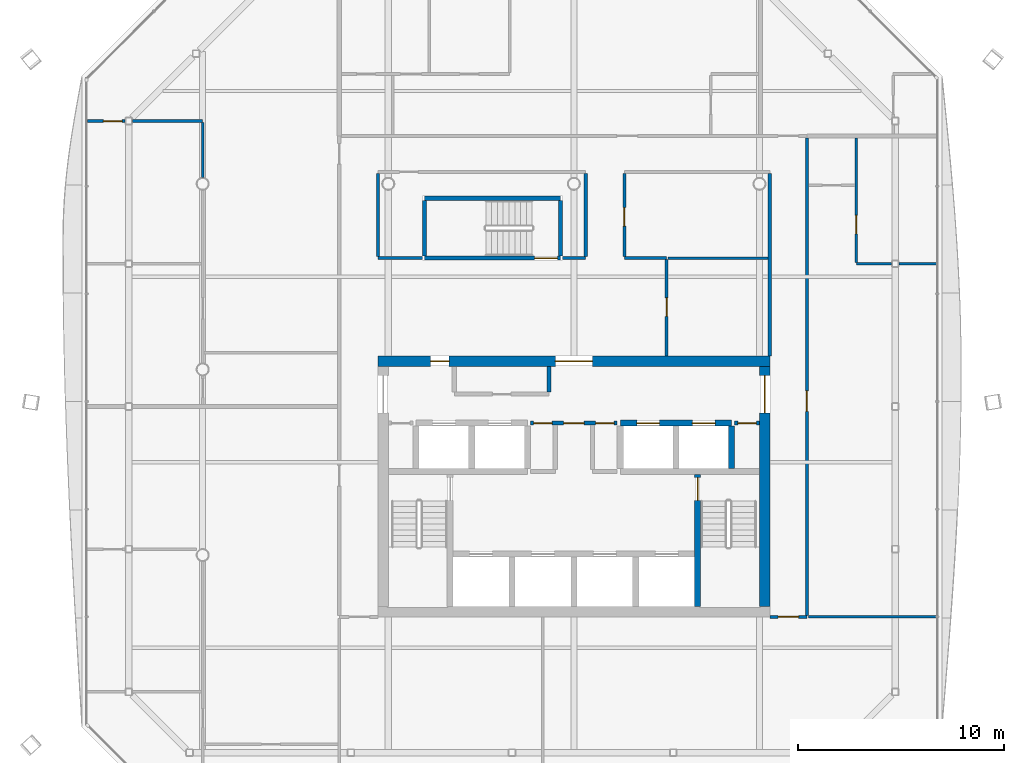
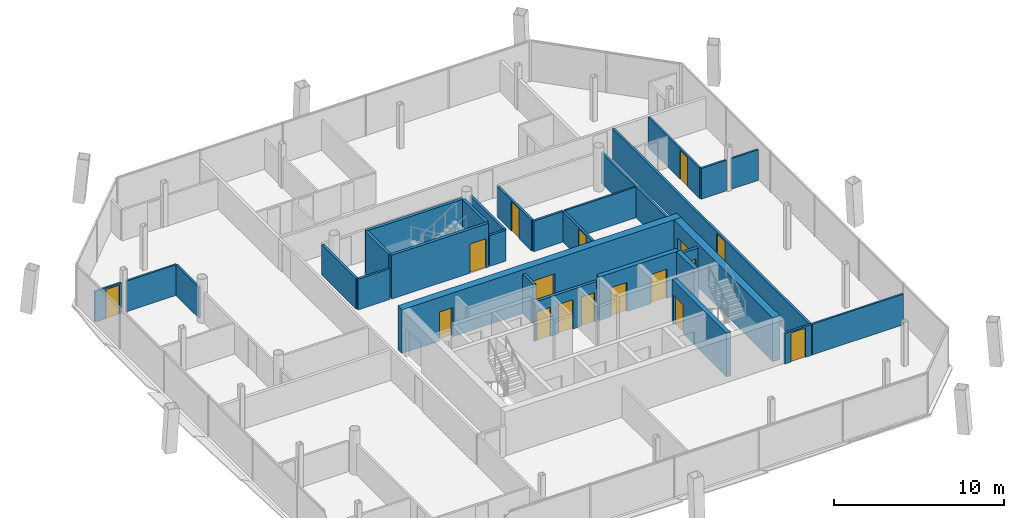
# One storey, part 15 of 20: 30 walls, 17 doors, 17 openings.
"""IFC4 building model written with IfcOpenShell, lengths in metres."""

from ifc_helpers import new_model, si_unit, direction, frame, frame_2d, origin, place, context, subcontext, project, spatial, rectangle, extrude, material, layer, layer_set, type_object, element, fill, save


model = new_model("IFC4")

# Units and contexts
model_context = context("Model", 3, precision=1e-05, world=origin(), true_north=direction((0.0, 1.0)))
body_context = subcontext(model_context, "Body", "Model", "MODEL_VIEW")
ifc_project = project(units=[si_unit("LENGTHUNIT", "METRE"), si_unit("AREAUNIT", "SQUARE_METRE"), si_unit("VOLUMEUNIT", "CUBIC_METRE"), si_unit("PLANEANGLEUNIT", "RADIAN"), si_unit("MASSUNIT", "GRAM", prefix="KILO")], contexts=[model_context])

# Site, building, storey
site_placement = place(None, origin())
site = spatial("IfcSite", under=ifc_project, at=site_placement, CompositionType="ELEMENT")
building_placement = place(site_placement, origin())
building = spatial("IfcBuilding", under=site, at=building_placement, Name="Tskaro Facet Tower", CompositionType="ELEMENT")
storey_placement = place(building_placement, frame((0.0, 0.0, 187.949951171875)))
storey = spatial("IfcBuildingStorey", under=building, at=storey_placement, Name="L47", CompositionType="ELEMENT", Elevation=187.949951171875)

# Wall, openings, doors
ifc_material_1 = material(Name="Concrete C60/75", Category="concrete")
ifc_layer_1 = layer(ifc_material_1, 0.300048828125, Name="Concrete C60/75")
ifc_layer_set_1 = layer_set([ifc_layer_1], Name="Concrete C60/75")
wall_type_1 = type_object("IfcWallType", Name="CORE-SHAFT", PredefinedType="SHEAR", material=ifc_layer_set_1)
wall_1_placement = place(storey_placement, frame((2.25, -2.60009765625, 0.0), z_axis=(0.0, 0.0, 1.0), x_axis=(1.0, 0.0, 0.0)))
wall_1 = element("IfcWall", 1, at=wall_1_placement, inside=storey, type_object=wall_type_1, Name="Shaft wall W017", PredefinedType="SHEAR", context=body_context, shape_type="SweptSolid", body=[
    extrude(rectangle(XDim=5.39990234375, YDim=0.300048828125, at=frame_2d((2.699951171875, 0.0))), origin(), (0.0, 0.0, 1.0), 3.150146484375),
])
opening_1_placement = place(wall_1_placement, frame((0.800048828125, 0.0, 0.0)))
opening_1 = element("IfcOpeningElement", 2, at=opening_1_placement, cuts=wall_1, Name="Opening LD-HB3", PredefinedType="OPENING", context=body_context, shape_type="SweptSolid", body=[
    extrude(rectangle(XDim=1.10009765625, YDim=2.10009765625, at=frame_2d((0.550048828125, 1.050048828125))), frame((0.0, 0.159912109375, 0.0), z_axis=(0.0, -1.0, 0.0), x_axis=(1.0, 0.0, 0.0)), (0.0, 0.0, 1.0), 0.320068359375),
])
opening_2_placement = place(wall_1_placement, frame((3.5, 0.0, 0.0)))
opening_2 = element("IfcOpeningElement", 3, at=opening_2_placement, cuts=wall_1, Name="Opening LD-HB4", PredefinedType="OPENING", context=body_context, shape_type="SweptSolid", body=[
    extrude(rectangle(XDim=1.10009765625, YDim=2.10009765625, at=frame_2d((0.550048828125, 1.050048828125))), frame((0.0, 0.159912109375, 0.0), z_axis=(0.0, -1.0, 0.0), x_axis=(1.0, 0.0, 0.0)), (0.0, 0.0, 1.0), 0.320068359375),
])
ifc_material_2 = material(Name="Stainless steel", Category="steel")
door_type_1 = type_object("IfcDoorType", Name="D-LANDING", OperationType="NOTDEFINED", PredefinedType="DOOR", material=ifc_material_2)
door_1_placement = place(opening_1_placement, origin())
door_1 = element("IfcDoor", 4, at=door_1_placement, inside=storey, type_object=door_type_1, Name="Landing door HB3", OperationType="DOUBLE_DOOR_SLIDING", OverallHeight=2.10009765625, OverallWidth=1.10009765625, PredefinedType="DOOR", context=body_context, shape_type="SweptSolid", body=[
    extrude(rectangle(XDim=1.10009765625, YDim=2.10009765625, at=frame_2d((0.550048828125, 1.050048828125))), frame((0.0, 0.02490234375, 0.0), z_axis=(0.0, -1.0, 0.0), x_axis=(1.0, 0.0, 0.0)), (0.0, 0.0, 1.0), 0.050048828125),
])
fill(opening_1, door_1)
door_2_placement = place(opening_2_placement, origin())
door_2 = element("IfcDoor", 5, at=door_2_placement, inside=storey, type_object=door_type_1, Name="Landing door HB4", OperationType="DOUBLE_DOOR_SLIDING", OverallHeight=2.10009765625, OverallWidth=1.10009765625, PredefinedType="DOOR", context=body_context, shape_type="SweptSolid", body=[
    extrude(rectangle(XDim=1.10009765625, YDim=2.10009765625, at=frame_2d((0.550048828125, 1.050048828125))), frame((0.0, 0.02490234375, 0.0), z_axis=(0.0, -1.0, 0.0), x_axis=(1.0, 0.0, 0.0)), (0.0, 0.0, 1.0), 0.050048828125),
])
fill(opening_2, door_2)

# Wall, opening, door
wall_2_placement = place(storey_placement, frame((6.0, -5.10009765625, 0.0), z_axis=(0.0, 0.0, 1.0), x_axis=(0.0, -1.0, 0.0)))
wall_2 = element("IfcWall", 6, at=wall_2_placement, inside=storey, type_object=wall_type_1, Name="Shaft wall W077", PredefinedType="SHEAR", context=body_context, shape_type="SweptSolid", body=[
    extrude(rectangle(XDim=6.39990234375, YDim=0.300048828125, at=frame_2d((3.199951171875, 0.0))), origin(), (0.0, 0.0, 1.0), 3.150146484375),
])
opening_3_placement = place(wall_2_placement, frame((0.14990234375, 0.0, 0.0)))
opening_3 = element("IfcOpeningElement", 7, at=opening_3_placement, cuts=wall_2, Name="Opening ST-2-D1", PredefinedType="OPENING", context=body_context, shape_type="SweptSolid", body=[
    extrude(rectangle(XDim=1.10009765625, YDim=2.10009765625, at=frame_2d((0.550048828125, 1.050048828125))), frame((0.0, 0.159912109375, 0.0), z_axis=(0.0, -1.0, 0.0), x_axis=(1.0, 0.0, 0.0)), (0.0, 0.0, 1.0), 0.320068359375),
])
ifc_material_3 = material(Name="Steel", Category="steel")
door_type_2 = type_object("IfcDoorType", Name="D-STAIR", OperationType="NOTDEFINED", PredefinedType="DOOR", material=ifc_material_3)
door_3_placement = place(opening_3_placement, origin())
door_3 = element("IfcDoor", 8, at=door_3_placement, inside=storey, type_object=door_type_2, Name="Stair door 2", OperationType="SINGLE_SWING_RIGHT", OverallHeight=2.10009765625, OverallWidth=1.10009765625, PredefinedType="DOOR", context=body_context, shape_type="SweptSolid", body=[
    extrude(rectangle(XDim=1.10009765625, YDim=2.10009765625, at=frame_2d((0.550048828125, 1.050048828125))), frame((0.0, 0.02490234375, 0.0), z_axis=(0.0, -1.0, 0.0), x_axis=(1.0, 0.0, 0.0)), (0.0, 0.0, 1.0), 0.050048828125),
])
fill(opening_3, door_3)

# Wall
wall_3_placement = place(storey_placement, frame((7.64990234375, -4.800048828125, 0.0), z_axis=(0.0, 0.0, 1.0), x_axis=(0.0, 1.0, 0.0)))
element("IfcWall", 9, at=wall_3_placement, inside=storey, type_object=wall_type_1, Name="Shaft wall W079", PredefinedType="SHEAR", context=body_context, shape_type="SweptSolid", body=[
    extrude(rectangle(XDim=2.050048828125, YDim=0.300048828125, at=frame_2d((1.02490234375, 0.0))), origin(), (0.0, 0.0, 1.0), 3.150146484375),
])

# Wall, openings, doors
ifc_material_4 = material(Name="Concrete C20/25", Category="concrete")
ifc_layer_2 = layer(ifc_material_4, 0.199951171875, Name="Concrete C20/25")
ifc_layer_set_2 = layer_set([ifc_layer_2], Name="Concrete C20/25")
wall_type_2 = type_object("IfcWallType", Name="CORE-WALL", PredefinedType="SOLIDWALL", material=ifc_layer_set_2)
wall_4_placement = place(storey_placement, frame((2.10009765625, -2.60009765625, 0.0), z_axis=(0.0, 0.0, 1.0), x_axis=(-1.0, 0.0, 0.0)))
wall_4 = element("IfcWall", 10, at=wall_4_placement, inside=storey, type_object=wall_type_2, Name="Core room wall W016", PredefinedType="SOLIDWALL", context=body_context, shape_type="SweptSolid", body=[
    extrude(rectangle(XDim=4.2001953125, YDim=0.199951171875, at=frame_2d((2.10009765625, 0.0))), origin(), (0.0, 0.0, 1.0), 2.85009765625),
])
opening_4_placement = place(wall_4_placement, frame((1.60009765625, 0.0, 0.0)))
opening_4 = element("IfcOpeningElement", 11, at=opening_4_placement, cuts=wall_4, Name="Opening FL-D1", PredefinedType="OPENING", context=body_context, shape_type="SweptSolid", body=[
    extrude(rectangle(XDim=1.0, YDim=2.10009765625, at=frame_2d((0.5, 1.050048828125))), frame((0.0, 0.10986328125, 0.0), z_axis=(0.0, -1.0, 0.0), x_axis=(1.0, 0.0, 0.0)), (0.0, 0.0, 1.0), 0.219970703125),
])
opening_5_placement = place(wall_4_placement, frame((3.14990234375, 0.0, 0.0)))
opening_5 = element("IfcOpeningElement", 12, at=opening_5_placement, cuts=wall_4, Name="Opening T13-D08", PredefinedType="OPENING", context=body_context, shape_type="SweptSolid", body=[
    extrude(rectangle(XDim=0.89990234375, YDim=2.10009765625, at=frame_2d((0.449951171875, 1.050048828125))), frame((0.0, 0.10986328125, 0.0), z_axis=(0.0, -1.0, 0.0), x_axis=(1.0, 0.0, 0.0)), (0.0, 0.0, 1.0), 0.219970703125),
])
opening_6_placement = place(wall_4_placement, frame((0.14990234375, 0.0, 0.0)))
opening_6 = element("IfcOpeningElement", 13, at=opening_6_placement, cuts=wall_4, Name="Opening T13-D09", PredefinedType="OPENING", context=body_context, shape_type="SweptSolid", body=[
    extrude(rectangle(XDim=0.89990234375, YDim=2.10009765625, at=frame_2d((0.449951171875, 1.050048828125))), frame((0.0, 0.10986328125, 0.0), z_axis=(0.0, -1.0, 0.0), x_axis=(1.0, 0.0, 0.0)), (0.0, 0.0, 1.0), 0.219970703125),
])
door_type_3 = type_object("IfcDoorType", Name="D-LOBBY", OperationType="NOTDEFINED", PredefinedType="DOOR", material=ifc_material_3)
door_4_placement = place(opening_4_placement, origin())
door_4 = element("IfcDoor", 14, at=door_4_placement, inside=storey, type_object=door_type_3, Name="Lobby door FL", OperationType="SINGLE_SWING_RIGHT", OverallHeight=2.10009765625, OverallWidth=1.0, PredefinedType="DOOR", context=body_context, shape_type="SweptSolid", body=[
    extrude(rectangle(XDim=1.0, YDim=2.10009765625, at=frame_2d((0.5, 1.050048828125))), frame((0.0, 0.02490234375, 0.0), z_axis=(0.0, -1.0, 0.0), x_axis=(1.0, 0.0, 0.0)), (0.0, 0.0, 1.0), 0.050048828125),
])
fill(opening_4, door_4)
ifc_material_5 = material(Name="Timber", Category="wood")
door_type_4 = type_object("IfcDoorType", Name="D-ROOM", OperationType="NOTDEFINED", PredefinedType="DOOR", material=ifc_material_5)
door_5_placement = place(opening_5_placement, origin())
door_5 = element("IfcDoor", 15, at=door_5_placement, inside=storey, type_object=door_type_4, Name="Door T13-D08", OperationType="SINGLE_SWING_RIGHT", OverallHeight=2.10009765625, OverallWidth=0.89990234375, PredefinedType="DOOR", context=body_context, shape_type="SweptSolid", body=[
    extrude(rectangle(XDim=0.89990234375, YDim=2.10009765625, at=frame_2d((0.449951171875, 1.050048828125))), frame((0.0, 0.02490234375, 0.0), z_axis=(0.0, -1.0, 0.0), x_axis=(1.0, 0.0, 0.0)), (0.0, 0.0, 1.0), 0.050048828125),
])
fill(opening_5, door_5)
door_6_placement = place(opening_6_placement, origin())
door_6 = element("IfcDoor", 16, at=door_6_placement, inside=storey, type_object=door_type_4, Name="Door T13-D09", OperationType="SINGLE_SWING_RIGHT", OverallHeight=2.10009765625, OverallWidth=0.89990234375, PredefinedType="DOOR", context=body_context, shape_type="SweptSolid", body=[
    extrude(rectangle(XDim=0.89990234375, YDim=2.10009765625, at=frame_2d((0.449951171875, 1.050048828125))), frame((0.0, 0.02490234375, 0.0), z_axis=(0.0, -1.0, 0.0), x_axis=(1.0, 0.0, 0.0)), (0.0, 0.0, 1.0), 0.050048828125),
])
fill(opening_6, door_6)

# Wall, opening, door
wall_5_placement = place(storey_placement, frame((9.0, -2.60009765625, 0.0), z_axis=(0.0, 0.0, 1.0), x_axis=(-1.0, 0.0, 0.0)))
wall_5 = element("IfcWall", 17, at=wall_5_placement, inside=storey, type_object=wall_type_2, Name="Core room wall W018", PredefinedType="SOLIDWALL", context=body_context, shape_type="SweptSolid", body=[
    extrude(rectangle(XDim=1.199951171875, YDim=0.199951171875, at=frame_2d((0.60009765625, 0.0))), origin(), (0.0, 0.0, 1.0), 2.85009765625),
])
opening_7_placement = place(wall_5_placement, frame((0.14990234375, 0.0, 0.0)))
opening_7 = element("IfcOpeningElement", 18, at=opening_7_placement, cuts=wall_5, Name="Opening T13-D10", PredefinedType="OPENING", context=body_context, shape_type="SweptSolid", body=[
    extrude(rectangle(XDim=0.89990234375, YDim=2.10009765625, at=frame_2d((0.449951171875, 1.050048828125))), frame((0.0, 0.10986328125, 0.0), z_axis=(0.0, -1.0, 0.0), x_axis=(1.0, 0.0, 0.0)), (0.0, 0.0, 1.0), 0.219970703125),
])
door_7_placement = place(opening_7_placement, origin())
door_7 = element("IfcDoor", 19, at=door_7_placement, inside=storey, type_object=door_type_4, Name="Door T13-D10", OperationType="SINGLE_SWING_RIGHT", OverallHeight=2.10009765625, OverallWidth=0.89990234375, PredefinedType="DOOR", context=body_context, shape_type="SweptSolid", body=[
    extrude(rectangle(XDim=0.89990234375, YDim=2.10009765625, at=frame_2d((0.449951171875, 1.050048828125))), frame((0.0, 0.02490234375, 0.0), z_axis=(0.0, -1.0, 0.0), x_axis=(1.0, 0.0, 0.0)), (0.0, 0.0, 1.0), 0.050048828125),
])
fill(opening_7, door_7)

# Wall
wall_6_placement = place(storey_placement, frame((-1.199951171875, -1.10009765625, 0.0), z_axis=(0.0, 0.0, 1.0), x_axis=(0.0, 1.0, 0.0)))
element("IfcWall", 20, at=wall_6_placement, inside=storey, type_object=wall_type_2, Name="Core room wall W066", PredefinedType="SOLIDWALL", context=body_context, shape_type="SweptSolid", body=[
    extrude(rectangle(XDim=1.25, YDim=0.199951171875, at=frame_2d((0.625, 0.0))), origin(), (0.0, 0.0, 1.0), 2.85009765625),
])

# Wall, openings, doors
ifc_material_6 = material(Name="Concrete C40/50", Category="concrete")
ifc_layer_3 = layer(ifc_material_6, 0.5, Name="Concrete C40/50")
ifc_layer_set_3 = layer_set([ifc_layer_3], Name="Concrete C40/50")
wall_type_3 = type_object("IfcWallType", Name="Core wall 500", PredefinedType="SHEAR", material=ifc_layer_set_3)
wall_7_placement = place(storey_placement, frame((-9.5, 0.39990234375, 0.0), z_axis=(0.0, 0.0, 1.0), x_axis=(1.0, 0.0, 0.0)))
wall_7 = element("IfcWall", 21, at=wall_7_placement, inside=storey, type_object=wall_type_3, Name="Core wall CW-Z3N", PredefinedType="SHEAR", context=body_context, shape_type="SweptSolid", body=[
    extrude(rectangle(XDim=19.0, YDim=0.5, at=frame_2d((9.5, 0.0))), origin(), (0.0, 0.0, 1.0), 3.150146484375),
])
opening_8_placement = place(wall_7_placement, frame((8.60009765625, 0.0, 0.0)))
opening_8 = element("IfcOpeningElement", 22, at=opening_8_placement, cuts=wall_7, Name="Opening T13-D17", PredefinedType="OPENING", context=body_context, shape_type="SweptSolid", body=[
    extrude(rectangle(XDim=1.800048828125, YDim=2.10009765625, at=frame_2d((0.89990234375, 1.050048828125))), frame((0.0, 0.260009765625, 0.0), z_axis=(0.0, -1.0, 0.0), x_axis=(1.0, 0.0, 0.0)), (0.0, 0.0, 1.0), 0.52001953125),
])
opening_9_placement = place(wall_7_placement, frame((2.550048828125, 0.0, 0.0)))
opening_9 = element("IfcOpeningElement", 23, at=opening_9_placement, cuts=wall_7, Name="Opening T13-D16", PredefinedType="OPENING", context=body_context, shape_type="SweptSolid", body=[
    extrude(rectangle(XDim=0.89990234375, YDim=2.10009765625, at=frame_2d((0.449951171875, 1.050048828125))), frame((0.0, 0.260009765625, 0.0), z_axis=(0.0, -1.0, 0.0), x_axis=(1.0, 0.0, 0.0)), (0.0, 0.0, 1.0), 0.52001953125),
])
door_type_5 = type_object("IfcDoorType", Name="D-CORE-PAIR", OperationType="NOTDEFINED", PredefinedType="DOOR", material=ifc_material_3)
door_8_placement = place(opening_8_placement, origin())
door_8 = element("IfcDoor", 24, at=door_8_placement, inside=storey, type_object=door_type_5, Name="Door T13-D17", OperationType="DOUBLE_DOOR_SINGLE_SWING", OverallHeight=2.10009765625, OverallWidth=1.800048828125, PredefinedType="DOOR", context=body_context, shape_type="SweptSolid", body=[
    extrude(rectangle(XDim=1.800048828125, YDim=2.10009765625, at=frame_2d((0.89990234375, 1.050048828125))), frame((0.0, 0.02490234375, 0.0), z_axis=(0.0, -1.0, 0.0), x_axis=(1.0, 0.0, 0.0)), (0.0, 0.0, 1.0), 0.050048828125),
])
fill(opening_8, door_8)
door_9_placement = place(opening_9_placement, origin())
door_9 = element("IfcDoor", 25, at=door_9_placement, inside=storey, type_object=door_type_4, Name="Door T13-D16", OperationType="SINGLE_SWING_LEFT", OverallHeight=2.10009765625, OverallWidth=0.89990234375, PredefinedType="DOOR", context=body_context, shape_type="SweptSolid", body=[
    extrude(rectangle(XDim=0.89990234375, YDim=2.10009765625, at=frame_2d((0.449951171875, 1.050048828125))), frame((0.0, 0.02490234375, 0.0), z_axis=(0.0, -1.0, 0.0), x_axis=(1.0, 0.0, 0.0)), (0.0, 0.0, 1.0), 0.050048828125),
])
fill(opening_9, door_9)

# Wall, opening, door
wall_8_placement = place(storey_placement, frame((9.25, -11.5, 0.0), z_axis=(0.0, 0.0, 1.0), x_axis=(0.0, 1.0, 0.0)))
wall_8 = element("IfcWall", 26, at=wall_8_placement, inside=storey, type_object=wall_type_3, Name="Core wall CW-Z3E", PredefinedType="SHEAR", context=body_context, shape_type="SweptSolid", body=[
    extrude(rectangle(XDim=11.64990234375, YDim=0.5, at=frame_2d((5.824951171875, 0.0))), origin(), (0.0, 0.0, 1.0), 3.150146484375),
])
opening_10_placement = place(wall_8_placement, frame((9.39990234375, 0.0, 0.0)))
opening_10 = element("IfcOpeningElement", 27, at=opening_10_placement, cuts=wall_8, Name="Opening T13-D14", PredefinedType="OPENING", context=body_context, shape_type="SweptSolid", body=[
    extrude(rectangle(XDim=1.800048828125, YDim=2.10009765625, at=frame_2d((0.89990234375, 1.050048828125))), frame((0.0, 0.260009765625, 0.0), z_axis=(0.0, -1.0, 0.0), x_axis=(1.0, 0.0, 0.0)), (0.0, 0.0, 1.0), 0.52001953125),
])
door_10_placement = place(opening_10_placement, origin())
door_10 = element("IfcDoor", 28, at=door_10_placement, inside=storey, type_object=door_type_5, Name="Door T13-D14", OperationType="DOUBLE_DOOR_SINGLE_SWING", OverallHeight=2.10009765625, OverallWidth=1.800048828125, PredefinedType="DOOR", context=body_context, shape_type="SweptSolid", body=[
    extrude(rectangle(XDim=1.800048828125, YDim=2.10009765625, at=frame_2d((0.89990234375, 1.050048828125))), frame((0.0, 0.02490234375, 0.0), z_axis=(0.0, -1.0, 0.0), x_axis=(1.0, 0.0, 0.0)), (0.0, 0.0, 1.0), 0.050048828125),
])
fill(opening_10, door_10)

# Walls
ifc_material_7 = material(Name="Gypsum board on steel studs", Category="steel")
ifc_layer_4 = layer(ifc_material_7, 0.125, Name="Gypsum board on steel studs")
ifc_layer_set_4 = layer_set([ifc_layer_4], Name="Gypsum board on steel studs")
wall_type_4 = type_object("IfcWallType", Name="PART", PredefinedType="PARTITIONING", material=ifc_layer_set_4)
wall_9_placement = place(storey_placement, frame((11.375, -12.0, 0.0), z_axis=(0.0, 0.0, 1.0), x_axis=(1.0, 0.0, 0.0)))
element("IfcWall", 29, at=wall_9_placement, inside=storey, type_object=wall_type_4, Name="Partition W006", PredefinedType="PARTITIONING", context=body_context, shape_type="SweptSolid", body=[
    extrude(rectangle(XDim=6.202880859375, YDim=0.125, at=frame_2d((3.1015625, 0.0))), origin(), (0.0, 0.0, 1.0), 2.2099609375),
])
wall_10_placement = place(storey_placement, frame((13.699951171875, 5.125, 0.0), z_axis=(0.0, 0.0, 1.0), x_axis=(1.0, 0.0, 0.0)))
element("IfcWall", 30, at=wall_10_placement, inside=storey, type_object=wall_type_4, Name="Partition W025", PredefinedType="PARTITIONING", context=body_context, shape_type="SweptSolid", body=[
    extrude(rectangle(XDim=1.7080078125, YDim=0.125, at=frame_2d((0.85400390625, 0.0))), origin(), (0.0, 0.0, 1.0), 2.2099609375),
])
wall_11_placement = place(storey_placement, frame((15.758056640625, 5.125, 0.0), z_axis=(0.0, 0.0, 1.0), x_axis=(1.0, 0.0, 0.0)))
element("IfcWall", 31, at=wall_11_placement, inside=storey, type_object=wall_type_4, Name="Partition W026", PredefinedType="PARTITIONING", context=body_context, shape_type="SweptSolid", body=[
    extrude(rectangle(XDim=1.81982421875, YDim=0.125, at=frame_2d((0.909912109375, 0.0))), origin(), (0.0, 0.0, 1.0), 2.2099609375),
])
wall_12_placement = place(storey_placement, frame((4.574951171875, 5.39990234375, 0.0), z_axis=(0.0, 0.0, 1.0), x_axis=(1.0, 0.0, 0.0)))
element("IfcWall", 32, at=wall_12_placement, inside=storey, type_object=wall_type_4, Name="Partition W031", PredefinedType="PARTITIONING", context=body_context, shape_type="SweptSolid", body=[
    extrude(rectangle(XDim=4.85009765625, YDim=0.125, at=frame_2d((2.425048828125, 0.0))), origin(), (0.0, 0.0, 1.0), 2.2099609375),
])

# Wall, opening, door
wall_13_placement = place(storey_placement, frame((-21.758056640625, 12.044921875, 0.0), z_axis=(0.0, 0.0, 1.0), x_axis=(-1.0, 0.0, 0.0)))
wall_13 = element("IfcWall", 33, at=wall_13_placement, inside=storey, type_object=wall_type_4, Name="Partition W038", PredefinedType="PARTITIONING", context=body_context, shape_type="SweptSolid", body=[
    extrude(rectangle(XDim=1.81982421875, YDim=0.125, at=frame_2d((0.909912109375, 0.0))), origin(), (0.0, 0.0, 1.0), 2.2099609375),
])
opening_11_placement = place(wall_13_placement, frame((0.14990234375, 0.0, 0.0)))
opening_11 = element("IfcOpeningElement", 34, at=opening_11_placement, cuts=wall_13, Name="Opening T13-D27", PredefinedType="OPENING", context=body_context, shape_type="SweptSolid", body=[
    extrude(rectangle(XDim=0.89990234375, YDim=2.10009765625, at=frame_2d((0.449951171875, 1.050048828125))), frame((0.0, 0.072509765625, 0.0), z_axis=(0.0, -1.0, 0.0), x_axis=(1.0, 0.0, 0.0)), (0.0, 0.0, 1.0), 0.14501953125),
])
door_11_placement = place(opening_11_placement, origin())
door_11 = element("IfcDoor", 35, at=door_11_placement, inside=storey, type_object=door_type_4, Name="Door T13-D27", OperationType="SINGLE_SWING_RIGHT", OverallHeight=2.10009765625, OverallWidth=0.89990234375, PredefinedType="DOOR", context=body_context, shape_type="SweptSolid", body=[
    extrude(rectangle(XDim=0.89990234375, YDim=2.10009765625, at=frame_2d((0.449951171875, 1.050048828125))), frame((0.0, 0.02490234375, 0.0), z_axis=(0.0, -1.0, 0.0), x_axis=(1.0, 0.0, 0.0)), (0.0, 0.0, 1.0), 0.050048828125),
])
fill(opening_11, door_11)

# Walls
wall_14_placement = place(storey_placement, frame((-21.407958984375, 12.044921875, 0.0), z_axis=(0.0, 0.0, 1.0), x_axis=(1.0, 0.0, 0.0)))
element("IfcWall", 36, at=wall_14_placement, inside=storey, type_object=wall_type_4, Name="Partition W039", PredefinedType="PARTITIONING", context=body_context, shape_type="SweptSolid", body=[
    extrude(rectangle(XDim=3.407958984375, YDim=0.125, at=frame_2d((1.7041015625, 0.0))), origin(), (0.0, 0.0, 1.0), 2.2099609375),
])
wall_15_placement = place(storey_placement, frame((-18.0, 9.304931640625, 0.0), z_axis=(0.0, 0.0, 1.0), x_axis=(0.0, 1.0, 0.0)))
element("IfcWall", 37, at=wall_15_placement, inside=storey, type_object=wall_type_4, Name="Partition W048", PredefinedType="PARTITIONING", context=body_context, shape_type="SweptSolid", body=[
    extrude(rectangle(XDim=2.677490234375, YDim=0.125, at=frame_2d((1.3388671875, 0.0))), origin(), (0.0, 0.0, 1.0), 2.2099609375),
])

# Wall, opening, door
wall_16_placement = place(storey_placement, frame((13.699951171875, 11.22509765625, 0.0), z_axis=(0.0, 0.0, 1.0), x_axis=(0.0, -1.0, 0.0)))
wall_16 = element("IfcWall", 38, at=wall_16_placement, inside=storey, type_object=wall_type_4, Name="Partition W084", PredefinedType="PARTITIONING", context=body_context, shape_type="SweptSolid", body=[
    extrude(rectangle(XDim=6.03759765625, YDim=0.125, at=frame_2d((3.018798828125, 0.0))), origin(), (0.0, 0.0, 1.0), 2.2099609375),
])
opening_12_placement = place(wall_16_placement, frame((3.75, 0.0, 0.0)))
opening_12 = element("IfcOpeningElement", 39, at=opening_12_placement, cuts=wall_16, Name="Opening T13-D20", PredefinedType="OPENING", context=body_context, shape_type="SweptSolid", body=[
    extrude(rectangle(XDim=0.89990234375, YDim=2.10009765625, at=frame_2d((0.449951171875, 1.050048828125))), frame((0.0, 0.072509765625, 0.0), z_axis=(0.0, -1.0, 0.0), x_axis=(1.0, 0.0, 0.0)), (0.0, 0.0, 1.0), 0.14501953125),
])
door_12_placement = place(opening_12_placement, origin())
door_12 = element("IfcDoor", 40, at=door_12_placement, inside=storey, type_object=door_type_4, Name="Door T13-D20", OperationType="SINGLE_SWING_RIGHT", OverallHeight=2.10009765625, OverallWidth=0.89990234375, PredefinedType="DOOR", context=body_context, shape_type="SweptSolid", body=[
    extrude(rectangle(XDim=0.89990234375, YDim=2.10009765625, at=frame_2d((0.449951171875, 1.050048828125))), frame((0.0, 0.02490234375, 0.0), z_axis=(0.0, -1.0, 0.0), x_axis=(1.0, 0.0, 0.0)), (0.0, 0.0, 1.0), 0.050048828125),
])
fill(opening_12, door_12)

ifc_layer_5 = layer(ifc_material_7, 0.14990234375, Name="Gypsum board on steel studs")
ifc_layer_set_5 = layer_set([ifc_layer_5], Name="Gypsum board on steel studs")
wall_type_5 = type_object("IfcWallType", Name="PART-CORR", PredefinedType="PARTITIONING", material=ifc_layer_set_5)
wall_17_placement = place(storey_placement, frame((11.300048828125, -12.0, 0.0), z_axis=(0.0, 0.0, 1.0), x_axis=(-1.0, 0.0, 0.0)))
wall_17 = element("IfcWall", 41, at=wall_17_placement, inside=storey, type_object=wall_type_5, Name="Corridor wall W005", PredefinedType="PARTITIONING", context=body_context, shape_type="SweptSolid", body=[
    extrude(rectangle(XDim=1.800048828125, YDim=0.14990234375, at=frame_2d((0.89990234375, 0.0))), origin(), (0.0, 0.0, 1.0), 2.2099609375),
])
opening_13_placement = place(wall_17_placement, frame((0.39990234375, 0.0, 0.0)))
opening_13 = element("IfcOpeningElement", 42, at=opening_13_placement, cuts=wall_17, Name="Opening T13-D04", PredefinedType="OPENING", context=body_context, shape_type="SweptSolid", body=[
    extrude(rectangle(XDim=1.0, YDim=2.10009765625, at=frame_2d((0.5, 1.050048828125))), frame((0.0, 0.0849609375, 0.0), z_axis=(0.0, -1.0, 0.0), x_axis=(1.0, 0.0, 0.0)), (0.0, 0.0, 1.0), 0.169921875),
])
door_type_6 = type_object("IfcDoorType", Name="D-ROOM-WIDE", OperationType="NOTDEFINED", PredefinedType="DOOR", material=ifc_material_5)
door_13_placement = place(opening_13_placement, origin())
door_13 = element("IfcDoor", 43, at=door_13_placement, inside=storey, type_object=door_type_6, Name="Door T13-D04", OperationType="SINGLE_SWING_RIGHT", OverallHeight=2.10009765625, OverallWidth=1.0, PredefinedType="DOOR", context=body_context, shape_type="SweptSolid", body=[
    extrude(rectangle(XDim=1.0, YDim=2.10009765625, at=frame_2d((0.5, 1.050048828125))), frame((0.0, 0.02490234375, 0.0), z_axis=(0.0, -1.0, 0.0), x_axis=(1.0, 0.0, 0.0)), (0.0, 0.0, 1.0), 0.050048828125),
])
fill(opening_13, door_13)

# Walls
wall_18_placement = place(storey_placement, frame((-9.5, 5.39990234375, 0.0), z_axis=(0.0, 0.0, 1.0), x_axis=(1.0, 0.0, 0.0)))
element("IfcWall", 44, at=wall_18_placement, inside=storey, type_object=wall_type_5, Name="Corridor wall W027", PredefinedType="PARTITIONING", context=body_context, shape_type="SweptSolid", body=[
    extrude(rectangle(XDim=2.14990234375, YDim=0.14990234375, at=frame_2d((1.074951171875, 0.0))), origin(), (0.0, 0.0, 1.0), 2.2099609375),
])
wall_19_placement = place(storey_placement, frame((-0.550048828125, 5.39990234375, 0.0), z_axis=(0.0, 0.0, 1.0), x_axis=(1.0, 0.0, 0.0)))
element("IfcWall", 45, at=wall_19_placement, inside=storey, type_object=wall_type_5, Name="Corridor wall W029", PredefinedType="PARTITIONING", context=body_context, shape_type="SweptSolid", body=[
    extrude(rectangle(XDim=1.125, YDim=0.14990234375, at=frame_2d((0.5625, 0.0))), origin(), (0.0, 0.0, 1.0), 2.2099609375),
])
wall_20_placement = place(storey_placement, frame((2.449951171875, 5.39990234375, 0.0), z_axis=(0.0, 0.0, 1.0), x_axis=(1.0, 0.0, 0.0)))
element("IfcWall", 46, at=wall_20_placement, inside=storey, type_object=wall_type_5, Name="Corridor wall W030", PredefinedType="PARTITIONING", context=body_context, shape_type="SweptSolid", body=[
    extrude(rectangle(XDim=2.050048828125, YDim=0.14990234375, at=frame_2d((1.02490234375, 0.0))), origin(), (0.0, 0.0, 1.0), 2.2099609375),
])
for number, where, z_axis, x_axis, name in (
    (47, (-9.5, 5.47509765625, 0.0), (0.0, 0.0, 1.0), (0.0, 1.0, 0.0), "Corridor wall W053"),
    (48, (0.574951171875, 5.47509765625, 0.0), (0.0, 0.0, 1.0), (0.0, 1.0, 0.0), "Corridor wall W070"),
):
    element("IfcWall", number, at=place(storey_placement, frame(where, z_axis=z_axis, x_axis=x_axis)), inside=storey, type_object=wall_type_5, Name=name, PredefinedType="PARTITIONING", context=body_context, shape_type="SweptSolid", body=[
        extrude(rectangle(XDim=4.02490234375, YDim=0.14990234375, at=frame_2d((2.012451171875, 0.0))), origin(), (0.0, 0.0, 1.0), 2.2099609375),
    ])

# Wall, opening, door
wall_21_placement = place(storey_placement, frame((2.449951171875, 9.5, 0.0), z_axis=(0.0, 0.0, 1.0), x_axis=(0.0, -1.0, 0.0)))
wall_21 = element("IfcWall", 49, at=wall_21_placement, inside=storey, type_object=wall_type_5, Name="Corridor wall W073", PredefinedType="PARTITIONING", context=body_context, shape_type="SweptSolid", body=[
    extrude(rectangle(XDim=4.02490234375, YDim=0.14990234375, at=frame_2d((2.012451171875, 0.0))), origin(), (0.0, 0.0, 1.0), 2.2099609375),
])
opening_14_placement = place(wall_21_placement, frame((1.64990234375, 0.0, 0.0)))
opening_14 = element("IfcOpeningElement", 50, at=opening_14_placement, cuts=wall_21, Name="Opening T13-D21", PredefinedType="OPENING", context=body_context, shape_type="SweptSolid", body=[
    extrude(rectangle(XDim=0.89990234375, YDim=2.10009765625, at=frame_2d((0.449951171875, 1.050048828125))), frame((0.0, 0.0849609375, 0.0), z_axis=(0.0, -1.0, 0.0), x_axis=(1.0, 0.0, 0.0)), (0.0, 0.0, 1.0), 0.169921875),
])
door_14_placement = place(opening_14_placement, origin())
door_14 = element("IfcDoor", 51, at=door_14_placement, inside=storey, type_object=door_type_4, Name="Door T13-D21", OperationType="SINGLE_SWING_RIGHT", OverallHeight=2.10009765625, OverallWidth=0.89990234375, PredefinedType="DOOR", context=body_context, shape_type="SweptSolid", body=[
    extrude(rectangle(XDim=0.89990234375, YDim=2.10009765625, at=frame_2d((0.449951171875, 1.050048828125))), frame((0.0, 0.02490234375, 0.0), z_axis=(0.0, -1.0, 0.0), x_axis=(1.0, 0.0, 0.0)), (0.0, 0.0, 1.0), 0.050048828125),
])
fill(opening_14, door_14)

wall_22_placement = place(storey_placement, frame((4.5, 5.324951171875, 0.0), z_axis=(0.0, 0.0, 1.0), x_axis=(0.0, -1.0, 0.0)))
wall_22 = element("IfcWall", 52, at=wall_22_placement, inside=storey, type_object=wall_type_5, Name="Corridor wall W075", PredefinedType="PARTITIONING", context=body_context, shape_type="SweptSolid", body=[
    extrude(rectangle(XDim=4.675048828125, YDim=0.14990234375, at=frame_2d((2.33740234375, 0.0))), origin(), (0.0, 0.0, 1.0), 2.2099609375),
])
opening_15_placement = place(wall_22_placement, frame((1.85009765625, 0.0, 0.0)))
opening_15 = element("IfcOpeningElement", 53, at=opening_15_placement, cuts=wall_22, Name="Opening T13-D19", PredefinedType="OPENING", context=body_context, shape_type="SweptSolid", body=[
    extrude(rectangle(XDim=0.89990234375, YDim=2.10009765625, at=frame_2d((0.449951171875, 1.050048828125))), frame((0.0, 0.0849609375, 0.0), z_axis=(0.0, -1.0, 0.0), x_axis=(1.0, 0.0, 0.0)), (0.0, 0.0, 1.0), 0.169921875),
])
door_15_placement = place(opening_15_placement, origin())
door_15 = element("IfcDoor", 54, at=door_15_placement, inside=storey, type_object=door_type_4, Name="Door T13-D19", OperationType="SINGLE_SWING_RIGHT", OverallHeight=2.10009765625, OverallWidth=0.89990234375, PredefinedType="DOOR", context=body_context, shape_type="SweptSolid", body=[
    extrude(rectangle(XDim=0.89990234375, YDim=2.10009765625, at=frame_2d((0.449951171875, 1.050048828125))), frame((0.0, 0.02490234375, 0.0), z_axis=(0.0, -1.0, 0.0), x_axis=(1.0, 0.0, 0.0)), (0.0, 0.0, 1.0), 0.050048828125),
])
fill(opening_15, door_15)

# Wall
wall_23_placement = place(storey_placement, frame((9.5, 0.64990234375, 0.0), z_axis=(0.0, 0.0, 1.0), x_axis=(0.0, 1.0, 0.0)))
element("IfcWall", 55, at=wall_23_placement, inside=storey, type_object=wall_type_5, Name="Corridor wall W082", PredefinedType="PARTITIONING", context=body_context, shape_type="SweptSolid", body=[
    extrude(rectangle(XDim=8.85009765625, YDim=0.14990234375, at=frame_2d((4.425048828125, 0.0))), origin(), (0.0, 0.0, 1.0), 2.2099609375),
])

# Wall, opening, door
wall_24_placement = place(storey_placement, frame((11.300048828125, 11.22509765625, 0.0), z_axis=(0.0, 0.0, 1.0), x_axis=(0.0, -1.0, 0.0)))
wall_24 = element("IfcWall", 56, at=wall_24_placement, inside=storey, type_object=wall_type_5, Name="Corridor wall W083", PredefinedType="PARTITIONING", context=body_context, shape_type="SweptSolid", body=[
    extrude(rectangle(XDim=23.150146484375, YDim=0.14990234375, at=frame_2d((11.5751953125, 0.0))), origin(), (0.0, 0.0, 1.0), 2.2099609375),
])
opening_16_placement = place(wall_24_placement, frame((12.262451171875, 0.0, 0.0)))
opening_16 = element("IfcOpeningElement", 57, at=opening_16_placement, cuts=wall_24, Name="Opening T13-D11", PredefinedType="OPENING", context=body_context, shape_type="SweptSolid", body=[
    extrude(rectangle(XDim=1.0, YDim=2.10009765625, at=frame_2d((0.5, 1.050048828125))), frame((0.0, 0.0849609375, 0.0), z_axis=(0.0, -1.0, 0.0), x_axis=(1.0, 0.0, 0.0)), (0.0, 0.0, 1.0), 0.169921875),
])
door_type_7 = type_object("IfcDoorType", Name="D-FLAT-ENTRY", OperationType="NOTDEFINED", PredefinedType="DOOR", material=ifc_material_5)
door_16_placement = place(opening_16_placement, origin())
door_16 = element("IfcDoor", 58, at=door_16_placement, inside=storey, type_object=door_type_7, Name="Door T13-D11", OperationType="SINGLE_SWING_RIGHT", OverallHeight=2.10009765625, OverallWidth=1.0, PredefinedType="DOOR", context=body_context, shape_type="SweptSolid", body=[
    extrude(rectangle(XDim=1.0, YDim=2.10009765625, at=frame_2d((0.5, 1.050048828125))), frame((0.0, 0.02490234375, 0.0), z_axis=(0.0, -1.0, 0.0), x_axis=(1.0, 0.0, 0.0)), (0.0, 0.0, 1.0), 0.050048828125),
])
fill(opening_16, door_16)

ifc_layer_6 = layer(ifc_material_1, 0.199951171875, Name="Concrete C60/75")
ifc_layer_set_6 = layer_set([ifc_layer_6], Name="Concrete C60/75")
wall_type_6 = type_object("IfcWallType", Name="STAIR-WALL", PredefinedType="SHEAR", material=ifc_layer_set_6)
wall_25_placement = place(storey_placement, frame((-7.25, 5.39990234375, 0.0), z_axis=(0.0, 0.0, 1.0), x_axis=(1.0, 0.0, 0.0)))
wall_25 = element("IfcWall", 59, at=wall_25_placement, inside=storey, type_object=wall_type_6, Name="Stair wall W028", PredefinedType="SHEAR", context=body_context, shape_type="SweptSolid", body=[
    extrude(rectangle(XDim=6.60009765625, YDim=0.199951171875, at=frame_2d((3.300048828125, 0.0))), origin(), (0.0, 0.0, 1.0), 3.150146484375),
])
opening_17_placement = place(wall_25_placement, frame((5.35009765625, 0.0, 0.0)))
opening_17 = element("IfcOpeningElement", 60, at=opening_17_placement, cuts=wall_25, Name="Opening ST-3-D1", PredefinedType="OPENING", context=body_context, shape_type="SweptSolid", body=[
    extrude(rectangle(XDim=1.10009765625, YDim=2.10009765625, at=frame_2d((0.550048828125, 1.050048828125))), frame((0.0, 0.10986328125, 0.0), z_axis=(0.0, -1.0, 0.0), x_axis=(1.0, 0.0, 0.0)), (0.0, 0.0, 1.0), 0.219970703125),
])
door_17_placement = place(opening_17_placement, origin())
door_17 = element("IfcDoor", 61, at=door_17_placement, inside=storey, type_object=door_type_2, Name="Stair door 3", OperationType="SINGLE_SWING_LEFT", OverallHeight=2.10009765625, OverallWidth=1.10009765625, PredefinedType="DOOR", context=body_context, shape_type="SweptSolid", body=[
    extrude(rectangle(XDim=1.10009765625, YDim=2.10009765625, at=frame_2d((0.550048828125, 1.050048828125))), frame((0.0, 0.02490234375, 0.0), z_axis=(0.0, -1.0, 0.0), x_axis=(1.0, 0.0, 0.0)), (0.0, 0.0, 1.0), 0.050048828125),
])
fill(opening_17, door_17)

# Walls
wall_26_placement = place(storey_placement, frame((-7.25, 8.300048828125, 0.0), z_axis=(0.0, 0.0, 1.0), x_axis=(1.0, 0.0, 0.0)))
element("IfcWall", 62, at=wall_26_placement, inside=storey, type_object=wall_type_6, Name="Stair wall W032", PredefinedType="SHEAR", context=body_context, shape_type="SweptSolid", body=[
    extrude(rectangle(XDim=6.60009765625, YDim=0.199951171875, at=frame_2d((3.300048828125, 0.0))), origin(), (0.0, 0.0, 1.0), 3.150146484375),
])
for number, where, z_axis, x_axis, name in (
    (63, (-7.25, 5.5, 0.0), (0.0, 0.0, 1.0), (0.0, 1.0, 0.0), "Stair wall W056"),
    (64, (-0.64990234375, 5.5, 0.0), (0.0, 0.0, 1.0), (0.0, 1.0, 0.0), "Stair wall W068"),
):
    element("IfcWall", number, at=place(storey_placement, frame(where, z_axis=z_axis, x_axis=x_axis)), inside=storey, type_object=wall_type_6, Name=name, PredefinedType="SHEAR", context=body_context, shape_type="SweptSolid", body=[
        extrude(rectangle(XDim=2.699951171875, YDim=0.199951171875, at=frame_2d((1.35009765625, 0.0))), origin(), (0.0, 0.0, 1.0), 3.150146484375),
    ])

save(model, "model.ifc")
